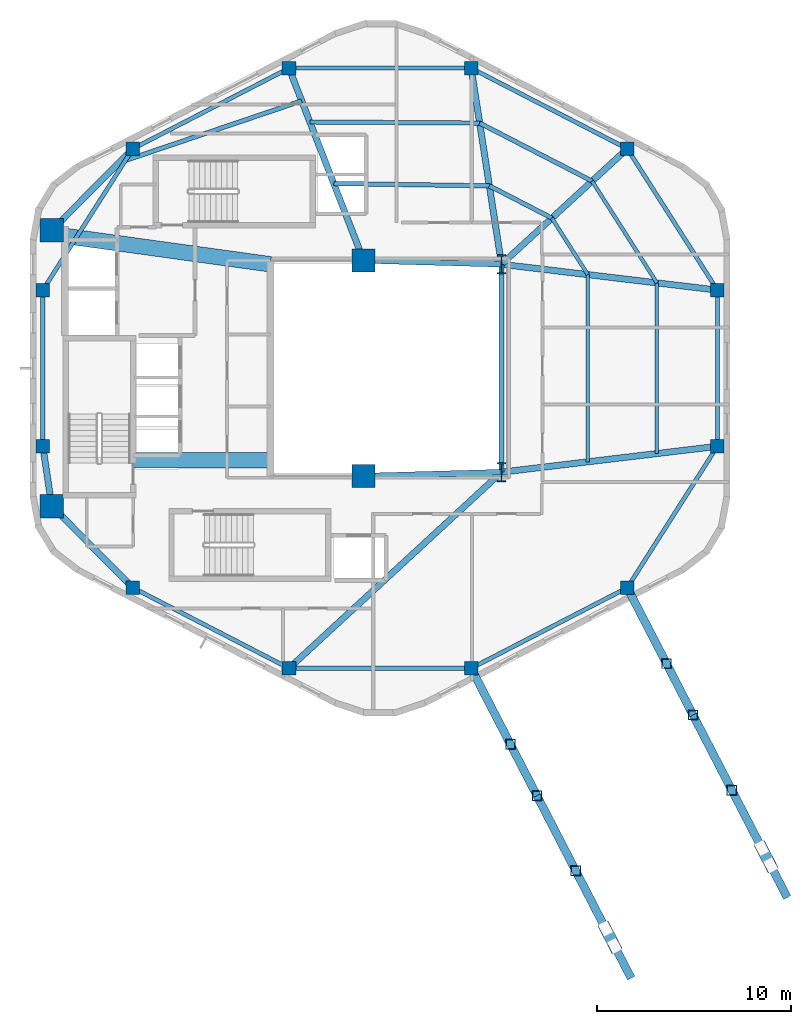
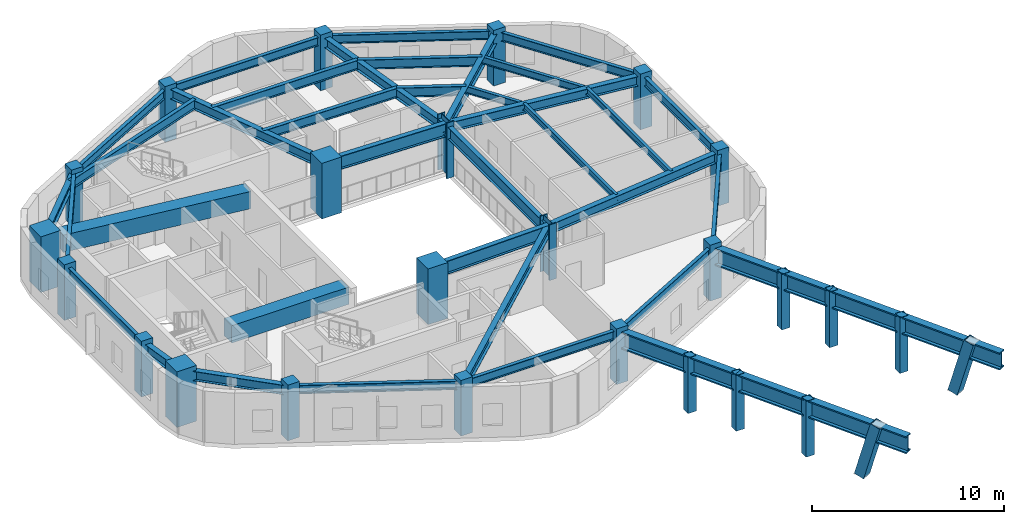
# One storey, part 1 of 6: 38 beams, 18 columns, 8 members.
"""IFC4 building model written with IfcOpenShell, lengths in metres."""

from ifc_helpers import new_model, si_unit, direction, frame, origin, origin_2d, place, context, subcontext, project, spatial, rectangle, hollow_rectangle, i_section, extrude, material, material_profile, profile_set, type_object, element, save


model = new_model("IFC4")

# Units and contexts
model_context = context("Model", 3, precision=1e-05, world=origin(), true_north=direction((0.0, 1.0)))
body_context = subcontext(model_context, "Body", "Model", "MODEL_VIEW")
ifc_project = project(units=[si_unit("LENGTHUNIT", "METRE"), si_unit("AREAUNIT", "SQUARE_METRE"), si_unit("VOLUMEUNIT", "CUBIC_METRE"), si_unit("PLANEANGLEUNIT", "RADIAN"), si_unit("MASSUNIT", "GRAM", prefix="KILO"), si_unit("THERMODYNAMICTEMPERATUREUNIT", "KELVIN"), si_unit("POWERUNIT", "WATT")], contexts=[model_context])

# Site, building, storey
site_placement = place(None, origin())
site = spatial("IfcSite", under=ifc_project, at=site_placement, CompositionType="ELEMENT")
building_placement = place(site_placement, origin())
building = spatial("IfcBuilding", under=site, at=building_placement, Name="Skarre Station Tower", CompositionType="ELEMENT")
storey_placement = place(building_placement, frame((0.0, 0.0, 231.25)))
storey = spatial("IfcBuildingStorey", under=building, at=storey_placement, Name="L63", CompositionType="ELEMENT", Elevation=231.25)

# Columns
ifc_material_1 = material(Name="Concrete C60/75", Category="concrete")
ifc_material_profile_1 = material_profile(ifc_material_1, rectangle(XDim=1.199951171875, YDim=1.199951171875, at=origin_2d()), Name="Concrete C60/75")
ifc_profile_set_1 = profile_set([ifc_material_profile_1], Name="Concrete C60/75")
column_type_1 = type_object("IfcColumnType", Name="RC Structural Column RC-COL-1200X1200", PredefinedType="COLUMN", material=ifc_profile_set_1)
for number, where, z_axis, x_axis, name in (
    (1, (16.300048828125, 16.89990234375, 0.0), (0.0, 0.0, 1.0), (1.0, 0.0, 0.0), "L63 Core Column CC-SW"),
    (2, (16.300048828125, 31.10009765625, 0.0), (0.0, 0.0, 1.0), (1.0, 0.0, 0.0), "L63 Core Column CC-NW"),
    (3, (32.35009765625, 18.449951171875, 0.0), (0.0, 0.0, 1.0), (1.0, 0.0, 0.0), "L63 Core Column CC-SE"),
    (4, (32.35009765625, 29.550048828125, 0.0), (0.0, 0.0, 1.0), (1.0, 0.0, 0.0), "L63 Core Column CC-NE"),
):
    element("IfcColumn", number, at=place(storey_placement, frame(where, z_axis=z_axis, x_axis=x_axis)), inside=storey, type_object=column_type_1, Name=name, PredefinedType="COLUMN", context=body_context, shape_type="SweptSolid", body=[
        extrude(rectangle(XDim=1.199951171875, YDim=1.199951171875, at=origin_2d()), origin(), (0.0, 0.0, 1.0), 3.550048828125),
    ])
ifc_material_2 = material(Name="Concrete C50/60", Category="concrete")
ifc_material_profile_2 = material_profile(ifc_material_2, rectangle(XDim=0.699951171875, YDim=0.699951171875, at=origin_2d()), Name="Concrete C50/60")
ifc_profile_set_2 = profile_set([ifc_material_profile_2], Name="Concrete C50/60")
column_type_2 = type_object("IfcColumnType", Name="RC Structural Column RC-COL-700X700", PredefinedType="COLUMN", material=ifc_profile_set_2)
for number, where, z_axis, x_axis, name in (
    (5, (45.927001953125, 35.298095703125, 0.0), (0.0, 0.0, 1.0), (1.0, 0.0, 0.0), "L63 Zone 4 Perimeter Column F0C1"),
    (6, (37.888916015625, 39.447021484375, 0.0), (0.0, 0.0, 1.0), (1.0, 0.0, 0.0), "L63 Zone 4 Perimeter Column F0C2"),
    (7, (28.510986328125, 39.447021484375, 0.0), (0.0, 0.0, 1.0), (1.0, 0.0, 0.0), "L63 Zone 4 Perimeter Column F1C1"),
    (8, (20.472900390625, 35.298095703125, 0.0), (0.0, 0.0, 1.0), (1.0, 0.0, 0.0), "L63 Zone 4 Perimeter Column F1C2"),
    (9, (15.8369140625, 28.02099609375, 0.0), (0.0, 0.0, 1.0), (1.0, 0.0, 0.0), "L63 Zone 4 Perimeter Column F2C1"),
    (10, (15.8369140625, 19.97900390625, 0.0), (0.0, 0.0, 1.0), (1.0, 0.0, 0.0), "L63 Zone 4 Perimeter Column F2C2"),
    (11, (20.472900390625, 12.701904296875, 0.0), (0.0, 0.0, 1.0), (1.0, 0.0, 0.0), "L63 Zone 4 Perimeter Column F3C1"),
    (12, (28.510986328125, 8.552978515625, 0.0), (0.0, 0.0, 1.0), (1.0, 0.0, 0.0), "L63 Zone 4 Perimeter Column F3C2"),
    (13, (37.888916015625, 8.552978515625, 0.0), (0.0, 0.0, 1.0), (1.0, 0.0, 0.0), "L63 Zone 4 Perimeter Column F4C1"),
    (14, (45.927001953125, 12.701904296875, 0.0), (0.0, 0.0, 1.0), (1.0, 0.0, 0.0), "L63 Zone 4 Perimeter Column F4C2"),
    (15, (50.56298828125, 19.97900390625, 0.0), (0.0, 0.0, 1.0), (1.0, 0.0, 0.0), "L63 Zone 4 Perimeter Column F5C1"),
    (16, (50.56298828125, 28.02099609375, 0.0), (0.0, 0.0, 1.0), (1.0, 0.0, 0.0), "L63 Zone 4 Perimeter Column F5C2"),
):
    element("IfcColumn", number, at=place(storey_placement, frame(where, z_axis=z_axis, x_axis=x_axis)), inside=storey, type_object=column_type_2, Name=name, PredefinedType="COLUMN", context=body_context, shape_type="SweptSolid", body=[
        extrude(rectangle(XDim=0.699951171875, YDim=0.699951171875, at=origin_2d()), origin(), (0.0, 0.0, 1.0), 3.550048828125),
    ])
ifc_material_3 = material(Name="Steel ASTM A913 Grade 65", Category="steel")
ifc_material_profile_3 = material_profile(ifc_material_3, i_section(OverallWidth=0.430908203125, OverallDepth=0.987060546875, WebThickness=0.033935546875, FlangeThickness=0.06201171875, at=origin_2d()), Name="Steel ASTM A913 Grade 65")
ifc_profile_set_3 = profile_set([ifc_material_profile_3], Name="Steel ASTM A913 Grade 65")
column_type_3 = type_object("IfcColumnType", Name="Steel Column W36X441", PredefinedType="COLUMN", material=ifc_profile_set_3)
for number, where, z_axis, x_axis, name in (
    (17, (39.449951171875, 18.64990234375, 0.0), (0.0, 0.0, 1.0), (1.0, 0.0, 0.0), "L63 Atrium Spine Column AC-SE"),
    (18, (39.449951171875, 29.35009765625, 0.0), (0.0, 0.0, 1.0), (1.0, 0.0, 0.0), "L63 Atrium Spine Column AC-NE"),
):
    element("IfcColumn", number, at=place(storey_placement, frame(where, z_axis=z_axis, x_axis=x_axis)), inside=storey, type_object=column_type_3, Name=name, PredefinedType="COLUMN", context=body_context, shape_type="SweptSolid", body=[
        extrude(i_section(OverallWidth=0.430908203125, OverallDepth=0.987060546875, WebThickness=0.033935546875, FlangeThickness=0.06201171875, at=origin_2d()), origin(), (0.0, 0.0, 1.0), 3.550048828125),
    ])

# Beams
ifc_material_4 = material(Name="Concrete C70/85", Category="concrete")
ifc_material_profile_4 = material_profile(ifc_material_4, rectangle(XDim=0.800048828125, YDim=1.10009765625, at=origin_2d()), Name="Concrete C70/85")
ifc_profile_set_4 = profile_set([ifc_material_profile_4], Name="Concrete C70/85")
beam_type_1 = type_object("IfcBeamType", Name="RC Core Coupling Lintel 800x1100", PredefinedType="LINTEL", material=ifc_profile_set_4)
beam_1_placement = place(storey_placement, frame((20.489990234375, 19.260009765625, 2.7099609375), z_axis=(1.0, 0.0, 0.0), x_axis=(0.0, 1.0, 0.0)))
element("IfcBeam", 19, at=beam_1_placement, inside=storey, type_object=beam_type_1, Name="L63 South Core Coupling Lintel", PredefinedType="LINTEL", context=body_context, shape_type="SweptSolid", body=[
    extrude(rectangle(XDim=0.800048828125, YDim=1.10009765625, at=origin_2d()), origin(), (0.0, 0.0, 1.0), 7.06005859375),
])
beam_2_placement = place(storey_placement, frame((17.050048828125, 30.800048828125, 2.7099609375), z_axis=(0.990599723633, -0.136792498109, 0.0), x_axis=(0.136792498109, 0.990599723633, 0.0)))
element("IfcBeam", 20, at=beam_2_placement, inside=storey, type_object=beam_type_1, Name="L63 North Core Coupling Lintel", PredefinedType="LINTEL", context=body_context, shape_type="SweptSolid", body=[
    extrude(rectangle(XDim=0.800048828125, YDim=1.10009765625, at=origin_2d()), origin(), (0.0, 0.0, 1.0), 10.599609375),
])
ifc_material_5 = material(Name="Steel ASTM A992 Grade 50", Category="steel")
ifc_material_profile_5 = material_profile(ifc_material_5, i_section(OverallWidth=0.323974609375, OverallDepth=0.611083984375, WebThickness=0.012939453125, FlangeThickness=0.01904296875, at=origin_2d()), Name="Steel ASTM A992 Grade 50")
ifc_profile_set_5 = profile_set([ifc_material_profile_5], Name="Steel ASTM A992 Grade 50")
beam_type_2 = type_object("IfcBeamType", Name="Steel Beam W24X104", PredefinedType="BEAM", material=ifc_profile_set_5)
beam_3_placement = place(storey_placement, frame((39.449951171875, 29.35009765625, 2.9541015625), z_axis=(0.736547671183, 0.676385635621, 0.0), x_axis=(-0.676385635621, 0.736547671183, 0.0)))
element("IfcBeam", 21, at=beam_3_placement, inside=storey, type_object=beam_type_2, Name="L63 Radial Floor Girder F0C1", PredefinedType="BEAM", context=body_context, shape_type="SweptSolid", body=[
    extrude(i_section(OverallWidth=0.323974609375, OverallDepth=0.611083984375, WebThickness=0.012939453125, FlangeThickness=0.01904296875, at=origin_2d()), origin(), (0.0, 0.0, 1.0), 8.793701171875),
])
beam_4_placement = place(storey_placement, frame((39.449951171875, 29.35009765625, 2.9541015625), z_axis=(-0.152789762931, 0.988258715288, 0.0), x_axis=(-0.988258715288, -0.152789762931, 0.0)))
element("IfcBeam", 22, at=beam_4_placement, inside=storey, type_object=beam_type_2, Name="L63 Radial Floor Girder F0C2", PredefinedType="BEAM", context=body_context, shape_type="SweptSolid", body=[
    extrude(i_section(OverallWidth=0.323974609375, OverallDepth=0.611083984375, WebThickness=0.012939453125, FlangeThickness=0.01904296875, at=origin_2d()), origin(), (0.0, 0.0, 1.0), 10.216796875),
])
beam_5_placement = place(storey_placement, frame((32.35009765625, 29.550048828125, 2.9541015625), z_axis=(-0.361651478681, 0.932313363611, 0.0), x_axis=(-0.932313363611, -0.361651478681, 0.0)))
element("IfcBeam", 23, at=beam_5_placement, inside=storey, type_object=beam_type_2, Name="L63 Radial Floor Girder F1C1", PredefinedType="BEAM", context=body_context, shape_type="SweptSolid", body=[
    extrude(i_section(OverallWidth=0.323974609375, OverallDepth=0.611083984375, WebThickness=0.012939453125, FlangeThickness=0.01904296875, at=origin_2d()), origin(), (0.0, 0.0, 1.0), 10.615478515625),
])
beam_6_placement = place(storey_placement, frame((16.300048828125, 31.10009765625, 2.9541015625), z_axis=(0.704979413242, 0.709227768002, 0.0), x_axis=(-0.709227768002, 0.704979413242, 0.0)))
element("IfcBeam", 24, at=beam_6_placement, inside=storey, type_object=beam_type_2, Name="L63 Radial Floor Girder F1C2", PredefinedType="BEAM", context=body_context, shape_type="SweptSolid", body=[
    extrude(i_section(OverallWidth=0.323974609375, OverallDepth=0.611083984375, WebThickness=0.012939453125, FlangeThickness=0.01904296875, at=origin_2d()), origin(), (0.0, 0.0, 1.0), 5.919189453125),
])
beam_7_placement = place(storey_placement, frame((16.300048828125, 16.89990234375, 2.9541015625), z_axis=(-0.148739188492, 0.988876460336, 0.0), x_axis=(-0.988876460336, -0.148739188492, 0.0)))
element("IfcBeam", 25, at=beam_7_placement, inside=storey, type_object=beam_type_2, Name="L63 Radial Floor Girder F2C2", PredefinedType="BEAM", context=body_context, shape_type="SweptSolid", body=[
    extrude(i_section(OverallWidth=0.323974609375, OverallDepth=0.611083984375, WebThickness=0.012939453125, FlangeThickness=0.01904296875, at=origin_2d()), origin(), (0.0, 0.0, 1.0), 3.11376953125),
])
beam_8_placement = place(storey_placement, frame((16.300048828125, 16.89990234375, 2.9541015625), z_axis=(0.704979413242, -0.709227768002, 0.0), x_axis=(0.709227768002, 0.704979413242, 0.0)))
element("IfcBeam", 26, at=beam_8_placement, inside=storey, type_object=beam_type_2, Name="L63 Radial Floor Girder F3C1", PredefinedType="BEAM", context=body_context, shape_type="SweptSolid", body=[
    extrude(i_section(OverallWidth=0.323974609375, OverallDepth=0.611083984375, WebThickness=0.012939453125, FlangeThickness=0.01904296875, at=origin_2d()), origin(), (0.0, 0.0, 1.0), 5.919189453125),
])
beam_9_placement = place(storey_placement, frame((39.449951171875, 18.64990234375, 2.9541015625), z_axis=(-0.734822935818, -0.678258986668, 0.0), x_axis=(0.678258986668, -0.734822935818, 0.0)))
element("IfcBeam", 27, at=beam_9_placement, inside=storey, type_object=beam_type_2, Name="L63 Radial Floor Girder F3C2", PredefinedType="BEAM", context=body_context, shape_type="SweptSolid", body=[
    extrude(i_section(OverallWidth=0.323974609375, OverallDepth=0.611083984375, WebThickness=0.012939453125, FlangeThickness=0.01904296875, at=origin_2d()), origin(), (0.0, 0.0, 1.0), 14.886474609375),
])
for number, where, z_axis, x_axis, name in (
    (28, (39.449951171875, 18.64990234375, 2.9541015625), (0.99292393128, 0.118752122891, 0.0), (-0.118752122891, 0.99292393128, 0.0), "L63 Radial Floor Girder F5C1"),
    (29, (39.449951171875, 29.35009765625, 2.9541015625), (0.99292393128, -0.118752122891, 0.0), (0.118752122891, 0.99292393128, 0.0), "L63 Radial Floor Girder F5C2"),
):
    element("IfcBeam", number, at=place(storey_placement, frame(where, z_axis=z_axis, x_axis=x_axis)), inside=storey, type_object=beam_type_2, Name=name, PredefinedType="BEAM", context=body_context, shape_type="SweptSolid", body=[
        extrude(i_section(OverallWidth=0.323974609375, OverallDepth=0.611083984375, WebThickness=0.012939453125, FlangeThickness=0.01904296875, at=origin_2d()), origin(), (0.0, 0.0, 1.0), 11.192138671875),
    ])
ifc_material_profile_6 = material_profile(ifc_material_5, i_section(OverallWidth=0.26806640625, OverallDepth=0.77001953125, WebThickness=0.01611328125, FlangeThickness=0.02490234375, at=origin_2d()), Name="Steel ASTM A992 Grade 50")
ifc_profile_set_6 = profile_set([ifc_material_profile_6], Name="Steel ASTM A992 Grade 50")
beam_type_3 = type_object("IfcBeamType", Name="Steel Beam W30X132", PredefinedType="BEAM", material=ifc_profile_set_6)
beam_10_placement = place(storey_placement, frame((39.449951171875, 18.64990234375, 2.875), z_axis=(0.0, 1.0, 0.0), x_axis=(-1.0, 0.0, 0.0)))
element("IfcBeam", 30, at=beam_10_placement, inside=storey, type_object=beam_type_3, Name="L63 Atrium East Edge Girder", PredefinedType="BEAM", context=body_context, shape_type="SweptSolid", body=[
    extrude(i_section(OverallWidth=0.26806640625, OverallDepth=0.77001953125, WebThickness=0.01611328125, FlangeThickness=0.02490234375, at=origin_2d()), origin(), (0.0, 0.0, 1.0), 10.7001953125),
])
ifc_material_profile_7 = material_profile(ifc_material_5, i_section(OverallWidth=0.2919921875, OverallDepth=0.85888671875, WebThickness=0.01708984375, FlangeThickness=0.031005859375, at=origin_2d()), Name="Steel ASTM A992 Grade 50")
ifc_profile_set_7 = profile_set([ifc_material_profile_7], Name="Steel ASTM A992 Grade 50")
beam_type_4 = type_object("IfcBeamType", Name="Steel Beam W33X169", PredefinedType="BEAM", material=ifc_profile_set_7)
for number, where, z_axis, x_axis, name in (
    (31, (32.35009765625, 18.449951171875, 2.8310546875), (0.999603666405, 0.028151556095, 0.0), (-0.028151556095, 0.999603666405, 0.0), "L63 Atrium South Edge Girder"),
    (32, (32.35009765625, 29.550048828125, 2.8310546875), (0.999603666405, -0.028151556095, 0.0), (0.028151556095, 0.999603666405, 0.0), "L63 Atrium North Edge Girder"),
):
    element("IfcBeam", number, at=place(storey_placement, frame(where, z_axis=z_axis, x_axis=x_axis)), inside=storey, type_object=beam_type_4, Name=name, PredefinedType="BEAM", context=body_context, shape_type="SweptSolid", body=[
        extrude(i_section(OverallWidth=0.2919921875, OverallDepth=0.85888671875, WebThickness=0.01708984375, FlangeThickness=0.031005859375, at=origin_2d()), origin(), (0.0, 0.0, 1.0), 7.102783203125),
    ])
ifc_material_profile_8 = material_profile(ifc_material_5, i_section(OverallWidth=0.177978515625, OverallDepth=0.403076171875, WebThickness=0.008056640625, FlangeThickness=0.010986328125, at=origin_2d()), Name="Steel ASTM A992 Grade 50")
ifc_profile_set_8 = profile_set([ifc_material_profile_8], Name="Steel ASTM A992 Grade 50")
beam_type_5 = type_object("IfcBeamType", Name="Steel Joist W16X36", PredefinedType="JOIST", material=ifc_profile_set_8)
beam_11_placement = place(storey_placement, frame((43.89501953125, 19.181884765625, 3.05810546875), z_axis=(0.0, 1.0, 0.0), x_axis=(-1.0, 0.0, 0.0)))
element("IfcBeam", 33, at=beam_11_placement, inside=storey, type_object=beam_type_5, Name="L63 Auxiliary Composite Joist 9", PredefinedType="JOIST", context=body_context, shape_type="SweptSolid", body=[
    extrude(i_section(OverallWidth=0.177978515625, OverallDepth=0.403076171875, WebThickness=0.008056640625, FlangeThickness=0.010986328125, at=origin_2d()), origin(), (0.0, 0.0, 1.0), 9.63623046875),
])
beam_12_placement = place(storey_placement, frame((47.450927734375, 19.60693359375, 3.05810546875), z_axis=(0.0, 1.0, 0.0), x_axis=(-1.0, 0.0, 0.0)))
element("IfcBeam", 34, at=beam_12_placement, inside=storey, type_object=beam_type_5, Name="L63 Auxiliary Composite Joist 10", PredefinedType="JOIST", context=body_context, shape_type="SweptSolid", body=[
    extrude(i_section(OverallWidth=0.177978515625, OverallDepth=0.403076171875, WebThickness=0.008056640625, FlangeThickness=0.010986328125, at=origin_2d()), origin(), (0.0, 0.0, 1.0), 8.7861328125),
])
ifc_material_profile_9 = material_profile(ifc_material_5, i_section(OverallWidth=0.19091796875, OverallDepth=0.45703125, WebThickness=0.009033203125, FlangeThickness=0.013916015625, at=origin_2d()), Name="Steel ASTM A992 Grade 50")
ifc_profile_set_9 = profile_set([ifc_material_profile_9], Name="Steel ASTM A992 Grade 50")
beam_type_6 = type_object("IfcBeamType", Name="Steel Joist W18X50", PredefinedType="JOIST", material=ifc_profile_set_9)
beam_13_placement = place(storey_placement, frame((43.89501953125, 28.818115234375, 3.031005859375), z_axis=(-0.537209598798, 0.843448781468, 0.0), x_axis=(-0.843448781468, -0.537209598798, 0.0)))
element("IfcBeam", 35, at=beam_13_placement, inside=storey, type_object=beam_type_6, Name="L63 Auxiliary Composite Joist 11", PredefinedType="JOIST", context=body_context, shape_type="SweptSolid", body=[
    extrude(i_section(OverallWidth=0.19091796875, OverallDepth=0.45703125, WebThickness=0.009033203125, FlangeThickness=0.013916015625, at=origin_2d()), origin(), (0.0, 0.0, 1.0), 3.451171875),
])
beam_14_placement = place(storey_placement, frame((47.450927734375, 28.39306640625, 3.031005859375), z_axis=(-0.537259384828, 0.843417069672, 0.0), x_axis=(-0.843417069672, -0.537259384828, 0.0)))
element("IfcBeam", 36, at=beam_14_placement, inside=storey, type_object=beam_type_6, Name="L63 Auxiliary Composite Joist 12", PredefinedType="JOIST", context=body_context, shape_type="SweptSolid", body=[
    extrude(i_section(OverallWidth=0.19091796875, OverallDepth=0.45703125, WebThickness=0.009033203125, FlangeThickness=0.013916015625, at=origin_2d()), origin(), (0.0, 0.0, 1.0), 6.212890625),
])
ifc_material_profile_10 = material_profile(ifc_material_5, i_section(OverallWidth=0.22802734375, OverallDepth=0.60791015625, WebThickness=0.010986328125, FlangeThickness=0.01708984375, at=origin_2d()), Name="Steel ASTM A992 Grade 50")
ifc_profile_set_10 = profile_set([ifc_material_profile_10], Name="Steel ASTM A992 Grade 50")
beam_type_7 = type_object("IfcBeamType", Name="Steel Joist W24X76", PredefinedType="JOIST", material=ifc_profile_set_10)
beam_15_placement = place(storey_placement, frame((42.041015625, 31.72900390625, 2.9560546875), z_axis=(-0.888562989562, 0.458754633308, 0.0), x_axis=(-0.458754633308, -0.888562989562, 0.0)))
element("IfcBeam", 37, at=beam_15_placement, inside=storey, type_object=beam_type_7, Name="L63 Secondary Floor Joist 1", PredefinedType="JOIST", context=body_context, shape_type="SweptSolid", body=[
    extrude(i_section(OverallWidth=0.22802734375, OverallDepth=0.60791015625, WebThickness=0.010986328125, FlangeThickness=0.01708984375, at=origin_2d()), origin(), (0.0, 0.0, 1.0), 3.618408203125),
])
beam_16_placement = place(storey_placement, frame((44.113037109375, 33.633056640625, 2.9560546875), z_axis=(-0.888610306875, 0.458662972689, 0.0), x_axis=(-0.458662972689, -0.888610306875, 0.0)))
element("IfcBeam", 38, at=beam_16_placement, inside=storey, type_object=beam_type_7, Name="L63 Secondary Floor Joist 2", PredefinedType="JOIST", context=body_context, shape_type="SweptSolid", body=[
    extrude(i_section(OverallWidth=0.22802734375, OverallDepth=0.60791015625, WebThickness=0.010986328125, FlangeThickness=0.01708984375, at=origin_2d()), origin(), (0.0, 0.0, 1.0), 6.512451171875),
])
beam_17_placement = place(storey_placement, frame((38.825927734375, 33.388916015625, 2.9560546875), z_axis=(-0.999887635467, 0.014990545042, 0.0), x_axis=(-0.014990545042, -0.999887635467, 0.0)))
element("IfcBeam", 39, at=beam_17_placement, inside=storey, type_object=beam_type_7, Name="L63 Secondary Floor Joist 3", PredefinedType="JOIST", context=body_context, shape_type="SweptSolid", body=[
    extrude(i_section(OverallWidth=0.22802734375, OverallDepth=0.60791015625, WebThickness=0.010986328125, FlangeThickness=0.01708984375, at=origin_2d()), origin(), (0.0, 0.0, 1.0), 8.012939453125),
])
beam_18_placement = place(storey_placement, frame((38.325927734375, 36.6201171875, 2.9560546875), z_axis=(-0.999979540932, 0.006396695854, 0.0), x_axis=(-0.006396695854, -0.999979540932, 0.0)))
element("IfcBeam", 40, at=beam_18_placement, inside=storey, type_object=beam_type_7, Name="L63 Secondary Floor Joist 4", PredefinedType="JOIST", context=body_context, shape_type="SweptSolid", body=[
    extrude(i_section(OverallWidth=0.22802734375, OverallDepth=0.60791015625, WebThickness=0.010986328125, FlangeThickness=0.01708984375, at=origin_2d()), origin(), (0.0, 0.0, 1.0), 8.740234375),
])
beam_19_placement = place(storey_placement, frame((29.1640625, 37.764892578125, 2.9560546875), z_axis=(-0.947236771085, -0.320534708736, 0.0), x_axis=(0.320534708736, -0.947236771085, 0.0)))
element("IfcBeam", 41, at=beam_19_placement, inside=storey, type_object=beam_type_7, Name="L63 Secondary Floor Joist 6", PredefinedType="JOIST", context=body_context, shape_type="SweptSolid", body=[
    extrude(i_section(OverallWidth=0.22802734375, OverallDepth=0.60791015625, WebThickness=0.010986328125, FlangeThickness=0.01708984375, at=origin_2d()), origin(), (0.0, 0.0, 1.0), 9.923828125),
])
ifc_material_profile_11 = material_profile(ifc_material_5, i_section(OverallWidth=0.214111328125, OverallDepth=0.549072265625, WebThickness=0.014892578125, FlangeThickness=0.02392578125, at=origin_2d()), Name="Steel ASTM A992 Grade 50")
ifc_profile_set_11 = profile_set([ifc_material_profile_11], Name="Steel ASTM A992 Grade 50")
beam_type_8 = type_object("IfcBeamType", Name="Steel Spandrel W21X93", PredefinedType="SPANDREL", material=ifc_profile_set_11)
beam_20_placement = place(storey_placement, frame((45.927001953125, 35.298095703125, 2.986083984375), z_axis=(-0.888610011727, 0.458663544505, 0.0), x_axis=(-0.458663544505, -0.888610011727, 0.0)))
element("IfcBeam", 42, at=beam_20_placement, inside=storey, type_object=beam_type_8, Name="L63 Facet Spandrel Beam 1", PredefinedType="SPANDREL", context=body_context, shape_type="SweptSolid", body=[
    extrude(i_section(OverallWidth=0.214111328125, OverallDepth=0.549072265625, WebThickness=0.014892578125, FlangeThickness=0.02392578125, at=origin_2d()), origin(), (0.0, 0.0, 1.0), 9.045654296875),
])
beam_21_placement = place(storey_placement, frame((37.888916015625, 39.447021484375, 2.986083984375), z_axis=(-1.0, 0.0, 0.0), x_axis=(0.0, -1.0, 0.0)))
element("IfcBeam", 43, at=beam_21_placement, inside=storey, type_object=beam_type_8, Name="L63 Facet Spandrel Beam 2", PredefinedType="SPANDREL", context=body_context, shape_type="SweptSolid", body=[
    extrude(i_section(OverallWidth=0.214111328125, OverallDepth=0.549072265625, WebThickness=0.014892578125, FlangeThickness=0.02392578125, at=origin_2d()), origin(), (0.0, 0.0, 1.0), 9.3779296875),
])
beam_22_placement = place(storey_placement, frame((28.510986328125, 39.447021484375, 2.986083984375), z_axis=(-0.888610011727, -0.458663544505, 0.0), x_axis=(0.458663544505, -0.888610011727, 0.0)))
element("IfcBeam", 44, at=beam_22_placement, inside=storey, type_object=beam_type_8, Name="L63 Facet Spandrel Beam 3", PredefinedType="SPANDREL", context=body_context, shape_type="SweptSolid", body=[
    extrude(i_section(OverallWidth=0.214111328125, OverallDepth=0.549072265625, WebThickness=0.014892578125, FlangeThickness=0.02392578125, at=origin_2d()), origin(), (0.0, 0.0, 1.0), 9.045654296875),
])
beam_23_placement = place(storey_placement, frame((20.472900390625, 35.298095703125, 2.986083984375), z_axis=(-0.537296523663, -0.843393410965, 0.0), x_axis=(0.843393410965, -0.537296523663, 0.0)))
element("IfcBeam", 45, at=beam_23_placement, inside=storey, type_object=beam_type_8, Name="L63 Facet Spandrel Beam 4", PredefinedType="SPANDREL", context=body_context, shape_type="SweptSolid", body=[
    extrude(i_section(OverallWidth=0.214111328125, OverallDepth=0.549072265625, WebThickness=0.014892578125, FlangeThickness=0.02392578125, at=origin_2d()), origin(), (0.0, 0.0, 1.0), 8.62841796875),
])
beam_24_placement = place(storey_placement, frame((15.8369140625, 28.02099609375, 2.986083984375), z_axis=(0.0, -1.0, 0.0), x_axis=(1.0, 0.0, 0.0)))
element("IfcBeam", 46, at=beam_24_placement, inside=storey, type_object=beam_type_8, Name="L63 Facet Spandrel Beam 5", PredefinedType="SPANDREL", context=body_context, shape_type="SweptSolid", body=[
    extrude(i_section(OverallWidth=0.214111328125, OverallDepth=0.549072265625, WebThickness=0.014892578125, FlangeThickness=0.02392578125, at=origin_2d()), origin(), (0.0, 0.0, 1.0), 8.0419921875),
])
beam_25_placement = place(storey_placement, frame((20.472900390625, 12.701904296875, 2.986083984375), z_axis=(0.888610011727, -0.458663544505, 0.0), x_axis=(0.458663544505, 0.888610011727, 0.0)))
element("IfcBeam", 47, at=beam_25_placement, inside=storey, type_object=beam_type_8, Name="L63 Facet Spandrel Beam 7", PredefinedType="SPANDREL", context=body_context, shape_type="SweptSolid", body=[
    extrude(i_section(OverallWidth=0.214111328125, OverallDepth=0.549072265625, WebThickness=0.014892578125, FlangeThickness=0.02392578125, at=origin_2d()), origin(), (0.0, 0.0, 1.0), 9.045654296875),
])
beam_26_placement = place(storey_placement, frame((28.510986328125, 8.552978515625, 2.986083984375), z_axis=(1.0, 0.0, 0.0), x_axis=(0.0, 1.0, 0.0)))
element("IfcBeam", 48, at=beam_26_placement, inside=storey, type_object=beam_type_8, Name="L63 Facet Spandrel Beam 8", PredefinedType="SPANDREL", context=body_context, shape_type="SweptSolid", body=[
    extrude(i_section(OverallWidth=0.214111328125, OverallDepth=0.549072265625, WebThickness=0.014892578125, FlangeThickness=0.02392578125, at=origin_2d()), origin(), (0.0, 0.0, 1.0), 9.3779296875),
])
beam_27_placement = place(storey_placement, frame((37.888916015625, 8.552978515625, 2.986083984375), z_axis=(0.888610011727, 0.458663544505, 0.0), x_axis=(-0.458663544505, 0.888610011727, 0.0)))
element("IfcBeam", 49, at=beam_27_placement, inside=storey, type_object=beam_type_8, Name="L63 Facet Spandrel Beam 9", PredefinedType="SPANDREL", context=body_context, shape_type="SweptSolid", body=[
    extrude(i_section(OverallWidth=0.214111328125, OverallDepth=0.549072265625, WebThickness=0.014892578125, FlangeThickness=0.02392578125, at=origin_2d()), origin(), (0.0, 0.0, 1.0), 9.045654296875),
])
beam_28_placement = place(storey_placement, frame((45.927001953125, 12.701904296875, 2.986083984375), z_axis=(0.537296523663, 0.843393410965, 0.0), x_axis=(-0.843393410965, 0.537296523663, 0.0)))
element("IfcBeam", 50, at=beam_28_placement, inside=storey, type_object=beam_type_8, Name="L63 Facet Spandrel Beam 10", PredefinedType="SPANDREL", context=body_context, shape_type="SweptSolid", body=[
    extrude(i_section(OverallWidth=0.214111328125, OverallDepth=0.549072265625, WebThickness=0.014892578125, FlangeThickness=0.02392578125, at=origin_2d()), origin(), (0.0, 0.0, 1.0), 8.62841796875),
])
beam_29_placement = place(storey_placement, frame((50.56298828125, 19.97900390625, 2.986083984375), z_axis=(0.0, 1.0, 0.0), x_axis=(-1.0, 0.0, 0.0)))
element("IfcBeam", 51, at=beam_29_placement, inside=storey, type_object=beam_type_8, Name="L63 Facet Spandrel Beam 11", PredefinedType="SPANDREL", context=body_context, shape_type="SweptSolid", body=[
    extrude(i_section(OverallWidth=0.214111328125, OverallDepth=0.549072265625, WebThickness=0.014892578125, FlangeThickness=0.02392578125, at=origin_2d()), origin(), (0.0, 0.0, 1.0), 8.0419921875),
])
beam_30_placement = place(storey_placement, frame((50.56298828125, 28.02099609375, 2.986083984375), z_axis=(-0.537296523663, 0.843393410965, 0.0), x_axis=(-0.843393410965, -0.537296523663, 0.0)))
element("IfcBeam", 52, at=beam_30_placement, inside=storey, type_object=beam_type_8, Name="L63 Facet Spandrel Beam 12", PredefinedType="SPANDREL", context=body_context, shape_type="SweptSolid", body=[
    extrude(i_section(OverallWidth=0.214111328125, OverallDepth=0.549072265625, WebThickness=0.014892578125, FlangeThickness=0.02392578125, at=origin_2d()), origin(), (0.0, 0.0, 1.0), 8.62841796875),
])
ifc_material_profile_12 = material_profile(ifc_material_3, i_section(OverallWidth=0.424072265625, OverallDepth=1.092041015625, WebThickness=0.044921875, FlangeThickness=0.08203125, at=origin_2d()), Name="Steel ASTM A913 Grade 65")
ifc_profile_set_12 = profile_set([ifc_material_profile_12], Name="Steel ASTM A913 Grade 65")
beam_type_9 = type_object("IfcBeamType", Name="Steel Transfer Girder W40X593", PredefinedType="USERDEFINED", material=ifc_profile_set_12)
beam_31_placement = place(storey_placement, frame((37.888916015625, 8.552978515625, 2.714111328125), z_axis=(0.45867578355, -0.888603694334, 0.0), x_axis=(0.888603694334, 0.45867578355, 0.0)))
element("IfcBeam", 53, at=beam_31_placement, inside=storey, type_object=beam_type_9, Name="L63 SB-5 Inner Sky-Bar Transfer Girder S1", ObjectType="TRANSFER_GIRDER", PredefinedType="USERDEFINED", context=body_context, shape_type="SweptSolid", body=[
    extrude(i_section(OverallWidth=0.424072265625, OverallDepth=1.092041015625, WebThickness=0.044921875, FlangeThickness=0.08203125, at=origin_2d()), origin(), (0.0, 0.0, 1.0), 7.3798828125),
])
beam_32_placement = place(storey_placement, frame((41.27392578125, 1.9951171875, 2.714111328125), z_axis=(0.458761762257, -0.888559308933, 0.0), x_axis=(0.888559308933, 0.458761762257, 0.0)))
element("IfcBeam", 54, at=beam_32_placement, inside=storey, type_object=beam_type_9, Name="L63 SB-5 Outer Sky-Bar Transfer Girder S1", ObjectType="TRANSFER_GIRDER", PredefinedType="USERDEFINED", context=body_context, shape_type="SweptSolid", body=[
    extrude(i_section(OverallWidth=0.424072265625, OverallDepth=1.092041015625, WebThickness=0.044921875, FlangeThickness=0.08203125, at=origin_2d()), origin(), (0.0, 0.0, 1.0), 10.570068359375),
])
beam_33_placement = place(storey_placement, frame((45.927001953125, 12.701904296875, 2.714111328125), z_axis=(0.45867578355, -0.888603694334, 0.0), x_axis=(0.888603694334, 0.45867578355, 0.0)))
element("IfcBeam", 55, at=beam_33_placement, inside=storey, type_object=beam_type_9, Name="L63 SB-5 Inner Sky-Bar Transfer Girder S2", ObjectType="TRANSFER_GIRDER", PredefinedType="USERDEFINED", context=body_context, shape_type="SweptSolid", body=[
    extrude(i_section(OverallWidth=0.424072265625, OverallDepth=1.092041015625, WebThickness=0.044921875, FlangeThickness=0.08203125, at=origin_2d()), origin(), (0.0, 0.0, 1.0), 7.3798828125),
])
beam_34_placement = place(storey_placement, frame((49.31201171875, 6.14404296875, 2.714111328125), z_axis=(0.458743525652, -0.888568724226, 0.0), x_axis=(0.888568724226, 0.458743525652, 0.0)))
element("IfcBeam", 56, at=beam_34_placement, inside=storey, type_object=beam_type_9, Name="L63 SB-5 Outer Sky-Bar Transfer Girder S2", ObjectType="TRANSFER_GIRDER", PredefinedType="USERDEFINED", context=body_context, shape_type="SweptSolid", body=[
    extrude(i_section(OverallWidth=0.424072265625, OverallDepth=1.092041015625, WebThickness=0.044921875, FlangeThickness=0.08203125, at=origin_2d()), origin(), (0.0, 0.0, 1.0), 10.56982421875),
])

# Members
ifc_material_6 = material(Name="Steel ASTM A501 Grade B", Category="steel")
ifc_material_profile_13 = material_profile(ifc_material_6, hollow_rectangle(XDim=0.5, YDim=0.5, WallThickness=0.02490234375, at=origin_2d()), Name="Steel ASTM A501 Grade B")
ifc_profile_set_13 = profile_set([ifc_material_profile_13], Name="Steel ASTM A501 Grade B")
member_type_1 = type_object("IfcMemberType", Name="Steel Truss Strut HSS500X500X25", PredefinedType="STRUT", material=ifc_profile_set_13)
for number, where, z_axis, x_axis, name in (
    (57, (39.906982421875, 4.64306640625, -0.280029296875), (0.0, 0.0, 1.0), (1.0, 0.0, 0.0), "L63 SB-5 Exoskeleton Post Tier 4-1 S1"),
    (58, (41.27392578125, 1.9951171875, -0.280029296875), (0.0, 0.0, 1.0), (1.0, 0.0, 0.0), "L63 SB-5 Exoskeleton Post Tier 4-2 S1"),
    (59, (43.27001953125, -1.8701171875, -0.280029296875), (0.0, 0.0, 1.0), (1.0, 0.0, 0.0), "L63 SB-5 Exoskeleton Post Tier 4-3 S1"),
    (60, (47.945068359375, 8.7919921875, -0.280029296875), (0.0, 0.0, 1.0), (1.0, 0.0, 0.0), "L63 SB-5 Exoskeleton Post Tier 4-1 S2"),
    (61, (49.31201171875, 6.14404296875, -0.280029296875), (0.0, 0.0, 1.0), (1.0, 0.0, 0.0), "L63 SB-5 Exoskeleton Post Tier 4-2 S2"),
    (62, (51.30810546875, 2.279052734375, -0.280029296875), (0.0, 0.0, 1.0), (1.0, 0.0, 0.0), "L63 SB-5 Exoskeleton Post Tier 4-3 S2"),
):
    element("IfcMember", number, at=place(storey_placement, frame(where, z_axis=z_axis, x_axis=x_axis)), inside=storey, type_object=member_type_1, Name=name, PredefinedType="STRUT", context=body_context, shape_type="SweptSolid", body=[
        extrude(hollow_rectangle(XDim=0.5, YDim=0.5, WallThickness=0.02490234375, at=origin_2d()), origin(), (0.0, 0.0, 1.0), 3.5400390625),
    ])
ifc_material_profile_14 = material_profile(ifc_material_6, hollow_rectangle(XDim=0.60009765625, YDim=0.60009765625, WallThickness=0.028076171875, at=origin_2d()), Name="Steel ASTM A501 Grade B")
ifc_profile_set_14 = profile_set([ifc_material_profile_14], Name="Steel ASTM A501 Grade B")
member_type_2 = type_object("IfcMemberType", Name="Steel Truss Strut HSS600X600X28", PredefinedType="STRUT", material=ifc_profile_set_14)
for number, where, z_axis, x_axis, name in (
    (63, (44.805908203125, -4.846923828125, -0.280029296875), (0.124774638823, -0.24145220002, 0.962357586665), (0.888389389579, 0.459090723587, 0.0), "L63 SB-5 Exoskeleton Raking Strut Tier 4 S1"),
    (64, (52.843994140625, -0.697998046875, -0.280029296875), (0.124776638117, -0.241389698315, 0.962373006754), (0.888337904777, 0.459190338461, 0.0), "L63 SB-5 Exoskeleton Raking Strut Tier 4 S2"),
):
    element("IfcMember", number, at=place(storey_placement, frame(where, z_axis=z_axis, x_axis=x_axis)), inside=storey, type_object=member_type_2, Name=name, PredefinedType="STRUT", context=body_context, shape_type="SweptSolid", body=[
        extrude(hollow_rectangle(XDim=0.60009765625, YDim=0.60009765625, WallThickness=0.028076171875, at=origin_2d()), origin(), (0.0, 0.0, 1.0), 3.678466796875),
    ])

save(model, "model.ifc")
